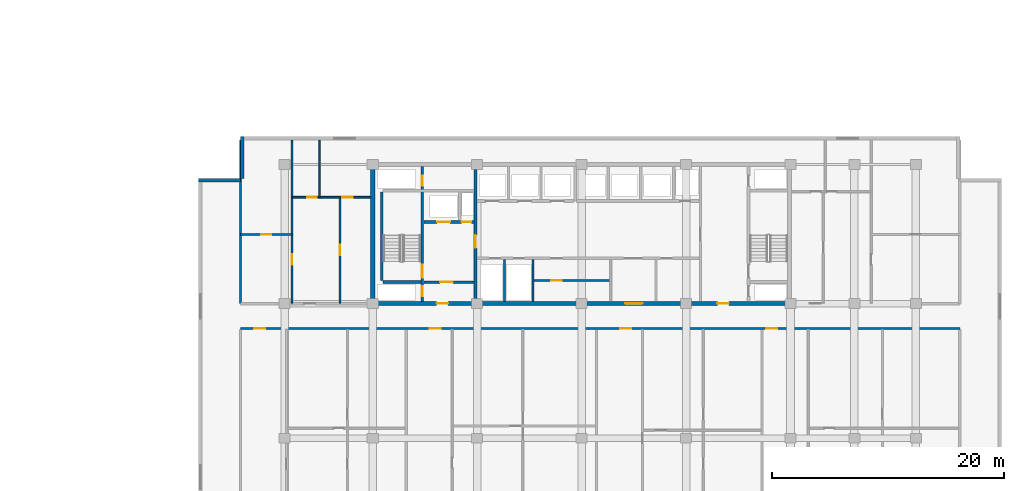
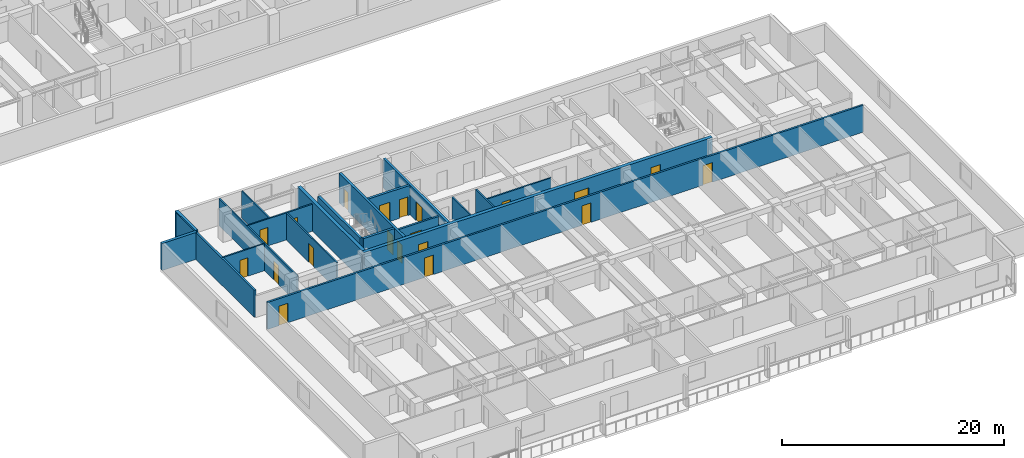
# One storey, part 6 of 23: 20 doors, 20 walls, 20 openings.
"""IFC4 building model written with IfcOpenShell, lengths in metres."""

from ifc_helpers import new_model, si_unit, direction, frame, frame_2d, origin, place, context, subcontext, project, spatial, rectangle, extrude, material, layer, layer_set, type_object, element, fill, save


model = new_model("IFC4")

# Units and contexts
model_context = context("Model", 3, precision=1e-05, world=origin(), true_north=direction((0.0, 1.0)))
body_context = subcontext(model_context, "Body", "Model", "MODEL_VIEW")
ifc_project = project(units=[si_unit("LENGTHUNIT", "METRE"), si_unit("AREAUNIT", "SQUARE_METRE"), si_unit("VOLUMEUNIT", "CUBIC_METRE"), si_unit("PLANEANGLEUNIT", "RADIAN"), si_unit("MASSUNIT", "GRAM", prefix="KILO")], contexts=[model_context])

# Site, building, storey
site_placement = place(None, origin())
site = spatial("IfcSite", under=ifc_project, at=site_placement, CompositionType="ELEMENT")
building_placement = place(site_placement, origin())
building = spatial("IfcBuilding", under=site, at=building_placement, Name="Korimba Cascade Residences", CompositionType="ELEMENT")
storey_placement = place(building_placement, frame((0.0, 0.0, 40.25)))
storey = spatial("IfcBuildingStorey", under=building, at=storey_placement, Name="L10", CompositionType="ELEMENT", Elevation=40.25)

# Walls
ifc_material_1 = material(Name="Precast concrete C40/50", Category="concrete")
ifc_layer_1 = layer(ifc_material_1, 0.300048828125)
ifc_layer_set_1 = layer_set([ifc_layer_1], Name="Precast concrete C40/50")
wall_type_1 = type_object("IfcWallType", Name="EW-STONE-300", PredefinedType="STANDARD", material=ifc_layer_set_1)
wall_1_placement = place(storey_placement, frame((70.85009765625, 32.800048828125, 0.0), z_axis=(0.0, 0.0, 1.0), x_axis=(0.0, -1.0, 0.0)))
element("IfcWall", 1, at=wall_1_placement, inside=storey, type_object=wall_type_1, Name="L10 T2 Perimeter Stone Wall E07", PredefinedType="STANDARD", context=body_context, shape_type="SweptSolid", body=[
    extrude(rectangle(XDim=3.60009765625, YDim=0.300048828125, at=frame_2d((1.800048828125, 0.0))), origin(), (0.0, 0.0, 1.0), 2.969970703125),
])
wall_2_placement = place(storey_placement, frame((70.699951171875, 29.050048828125, 0.0), z_axis=(0.0, 0.0, 1.0), x_axis=(-1.0, 0.0, 0.0)))
element("IfcWall", 2, at=wall_2_placement, inside=storey, type_object=wall_type_1, Name="L10 T2 Perimeter Stone Wall E08", PredefinedType="STANDARD", context=body_context, shape_type="SweptSolid", body=[
    extrude(rectangle(XDim=3.599853515625, YDim=0.300048828125, at=frame_2d((1.7998046875, 0.0))), origin(), (0.0, 0.0, 1.0), 2.969970703125),
])
ifc_material_2 = material(Name="Concrete C65/80", Category="concrete")
ifc_layer_2 = layer(ifc_material_2, 0.35009765625)
ifc_layer_set_2 = layer_set([ifc_layer_2], Name="Concrete C65/80")
wall_type_2 = type_object("IfcWallType", Name="WAL-CORE-350", PredefinedType="SHEAR", material=ifc_layer_set_2)
wall_3_placement = place(storey_placement, frame((82.10009765625, 18.574951171875, 0.0), z_axis=(0.0, 0.0, 1.0), x_axis=(0.0, 1.0, 0.0)))
element("IfcWall", 3, at=wall_3_placement, inside=storey, type_object=wall_type_2, Name="L10 Core Shear Wall CW-L10-T2-W", PredefinedType="SHEAR", context=body_context, shape_type="SweptSolid", body=[
    extrude(rectangle(XDim=11.650146484375, YDim=0.35009765625, at=frame_2d((5.8251953125, 0.0))), origin(), (0.0, 0.0, 1.0), 3.25),
])

# Wall, openings, doors
wall_4_placement = place(storey_placement, frame((81.925048828125, 18.39990234375, 0.0), z_axis=(0.0, 0.0, 1.0), x_axis=(1.0, 0.0, 0.0)))
wall_4 = element("IfcWall", 4, at=wall_4_placement, inside=storey, type_object=wall_type_2, Name="L10 Core Shear Wall CW-L10-T2-S", PredefinedType="SHEAR", context=body_context, shape_type="SweptSolid", body=[
    extrude(rectangle(XDim=36.264892578125, YDim=0.35009765625, at=frame_2d((18.13232421875, 0.0))), origin(), (0.0, 0.0, 1.0), 3.25),
])
opening_1_placement = place(wall_4_placement, frame((5.675048828125, 0.0, 0.0)))
opening_1 = element("IfcOpeningElement", 5, at=opening_1_placement, cuts=wall_4, Name="Opening D-FD5", PredefinedType="OPENING", context=body_context, shape_type="SweptSolid", body=[
    extrude(rectangle(XDim=1.0, YDim=2.14990234375, at=frame_2d((0.5, 1.074951171875))), frame((0.0, 0.18505859375, 0.0), z_axis=(0.0, -1.0, 0.0), x_axis=(1.0, 0.0, 0.0)), (0.0, 0.0, 1.0), 0.3701171875),
])
opening_2_placement = place(wall_4_placement, frame((21.925048828125, 0.0, 0.0)))
opening_2 = element("IfcOpeningElement", 6, at=opening_2_placement, cuts=wall_4, Name="Opening D-FD8", PredefinedType="OPENING", context=body_context, shape_type="SweptSolid", body=[
    extrude(rectangle(XDim=1.5, YDim=2.199951171875, at=frame_2d((0.75, 1.10009765625))), frame((0.0, 0.18505859375, 0.0), z_axis=(0.0, -1.0, 0.0), x_axis=(1.0, 0.0, 0.0)), (0.0, 0.0, 1.0), 0.3701171875),
])
opening_3_placement = place(wall_4_placement, frame((29.875, 0.0, 0.0)))
opening_3 = element("IfcOpeningElement", 7, at=opening_3_placement, cuts=wall_4, Name="Opening D-FD5", PredefinedType="OPENING", context=body_context, shape_type="SweptSolid", body=[
    extrude(rectangle(XDim=1.0, YDim=2.14990234375, at=frame_2d((0.5, 1.074951171875))), frame((0.0, 0.18505859375, 0.0), z_axis=(0.0, -1.0, 0.0), x_axis=(1.0, 0.0, 0.0)), (0.0, 0.0, 1.0), 0.3701171875),
])
ifc_material_3 = material(Name="Fire-Rated Acoustic Timber Vestibule Door", Category="wood")
door_type_1 = type_object("IfcDoorType", Name="DR-FD90-1000", OperationType="NOTDEFINED", PredefinedType="DOOR", material=ifc_material_3)
door_1_placement = place(opening_1_placement, origin())
door_1 = element("IfcDoor", 8, at=door_1_placement, inside=storey, type_object=door_type_1, Name="L10 T2 West Core Vestibule Fire Door", OperationType="SINGLE_SWING_RIGHT", OverallHeight=2.14990234375, OverallWidth=1.0, PredefinedType="DOOR", context=body_context, shape_type="SweptSolid", body=[
    extrude(rectangle(XDim=1.0, YDim=2.14990234375, at=frame_2d((0.5, 1.074951171875))), frame((0.0, 0.02490234375, 0.0), z_axis=(0.0, -1.0, 0.0), x_axis=(1.0, 0.0, 0.0)), (0.0, 0.0, 1.0), 0.050048828125),
])
fill(opening_1, door_1)
door_2_placement = place(opening_3_placement, origin())
door_2 = element("IfcDoor", 9, at=door_2_placement, inside=storey, type_object=door_type_1, Name="L10 T2 East Stair Vestibule Fire Door", OperationType="SINGLE_SWING_LEFT", OverallHeight=2.14990234375, OverallWidth=1.0, PredefinedType="DOOR", context=body_context, shape_type="SweptSolid", body=[
    extrude(rectangle(XDim=1.0, YDim=2.14990234375, at=frame_2d((0.5, 1.074951171875))), frame((0.0, 0.02490234375, 0.0), z_axis=(0.0, -1.0, 0.0), x_axis=(1.0, 0.0, 0.0)), (0.0, 0.0, 1.0), 0.050048828125),
])
fill(opening_3, door_2)
ifc_material_4 = material(Name="Fire-Rated Glazed Lift Lobby Double Door", Category="glass")
door_type_2 = type_object("IfcDoorType", Name="DR-FD90-1500", OperationType="NOTDEFINED", PredefinedType="DOOR", material=ifc_material_4)
door_3_placement = place(opening_2_placement, origin())
door_3 = element("IfcDoor", 10, at=door_3_placement, inside=storey, type_object=door_type_2, Name="L10 T2 Lift Lobby Fire Door", OperationType="DOUBLE_DOOR_SINGLE_SWING", OverallHeight=2.199951171875, OverallWidth=1.5, PredefinedType="DOOR", context=body_context, shape_type="SweptSolid", body=[
    extrude(rectangle(XDim=1.5, YDim=2.199951171875, at=frame_2d((0.75, 1.10009765625))), frame((0.0, 0.02490234375, 0.0), z_axis=(0.0, -1.0, 0.0), x_axis=(1.0, 0.0, 0.0)), (0.0, 0.0, 1.0), 0.050048828125),
])
fill(opening_2, door_3)

# Wall
ifc_layer_3 = layer(ifc_material_1, 0.199951171875)
ifc_layer_set_3 = layer_set([ifc_layer_3], Name="Precast concrete C40/50")
wall_type_3 = type_object("IfcWallType", Name="WAL-IT-200", PredefinedType="PARTITIONING", material=ifc_layer_set_3)
wall_5_placement = place(storey_placement, frame((70.699951171875, 18.39990234375, 0.0), z_axis=(0.0, 0.0, 1.0), x_axis=(0.0, 1.0, 0.0)))
element("IfcWall", 11, at=wall_5_placement, inside=storey, type_object=wall_type_3, Name="L10 Partition Wall WAL-L10-T2-FW-WL", PredefinedType="PARTITIONING", context=body_context, shape_type="SweptSolid", body=[
    extrude(rectangle(XDim=14.10009765625, YDim=0.199951171875, at=frame_2d((7.050048828125, 0.0))), origin(), (0.0, 0.0, 1.0), 2.969970703125),
])

# Wall, openings, doors
wall_6_placement = place(storey_placement, frame((70.699951171875, 16.25, 0.0), z_axis=(0.0, 0.0, 1.0), x_axis=(1.0, 0.0, 0.0)))
wall_6 = element("IfcWall", 12, at=wall_6_placement, inside=storey, type_object=wall_type_3, Name="L10 Partition Wall WAL-L10-T2-CORS", PredefinedType="PARTITIONING", context=body_context, shape_type="SweptSolid", body=[
    extrude(rectangle(XDim=62.0, YDim=0.199951171875, at=frame_2d((31.0, 0.0))), origin(), (0.0, 0.0, 1.0), 2.969970703125),
])
opening_4_placement = place(wall_6_placement, frame((1.18603515625, 0.0, 0.0)))
opening_4 = element("IfcOpeningElement", 13, at=opening_4_placement, cuts=wall_6, Name="Opening D-UN1", PredefinedType="OPENING", context=body_context, shape_type="SweptSolid", body=[
    extrude(rectangle(XDim=0.949951171875, YDim=2.14990234375, at=frame_2d((0.47509765625, 1.074951171875))), frame((0.0, 0.10986328125, 0.0), z_axis=(0.0, -1.0, 0.0), x_axis=(1.0, 0.0, 0.0)), (0.0, 0.0, 1.0), 0.219970703125),
])
opening_5_placement = place(wall_6_placement, frame((16.32080078125, 0.0, 0.0)))
opening_5 = element("IfcOpeningElement", 14, at=opening_5_placement, cuts=wall_6, Name="Opening D-UN1", PredefinedType="OPENING", context=body_context, shape_type="SweptSolid", body=[
    extrude(rectangle(XDim=0.949951171875, YDim=2.14990234375, at=frame_2d((0.47509765625, 1.074951171875))), frame((0.0, 0.10986328125, 0.0), z_axis=(0.0, -1.0, 0.0), x_axis=(1.0, 0.0, 0.0)), (0.0, 0.0, 1.0), 0.219970703125),
])
opening_6_placement = place(wall_6_placement, frame((32.719970703125, 0.0, 0.0)))
opening_6 = element("IfcOpeningElement", 15, at=opening_6_placement, cuts=wall_6, Name="Opening D-UN1", PredefinedType="OPENING", context=body_context, shape_type="SweptSolid", body=[
    extrude(rectangle(XDim=0.949951171875, YDim=2.14990234375, at=frame_2d((0.47509765625, 1.074951171875))), frame((0.0, 0.10986328125, 0.0), z_axis=(0.0, -1.0, 0.0), x_axis=(1.0, 0.0, 0.0)), (0.0, 0.0, 1.0), 0.219970703125),
])
opening_7_placement = place(wall_6_placement, frame((45.32080078125, 0.0, 0.0)))
opening_7 = element("IfcOpeningElement", 16, at=opening_7_placement, cuts=wall_6, Name="Opening D-UN1", PredefinedType="OPENING", context=body_context, shape_type="SweptSolid", body=[
    extrude(rectangle(XDim=0.949951171875, YDim=2.14990234375, at=frame_2d((0.47509765625, 1.074951171875))), frame((0.0, 0.10986328125, 0.0), z_axis=(0.0, -1.0, 0.0), x_axis=(1.0, 0.0, 0.0)), (0.0, 0.0, 1.0), 0.219970703125),
])
ifc_material_5 = material(Name="Fire-Rated Hardwood Apartment Entrance Door", Category="wood")
door_type_3 = type_object("IfcDoorType", Name="DR-FD60-950", OperationType="NOTDEFINED", PredefinedType="DOOR", material=ifc_material_5)
door_4_placement = place(opening_4_placement, origin())
door_4 = element("IfcDoor", 17, at=door_4_placement, inside=storey, type_object=door_type_3, Name="Unit L10-T2-U01 Entrance Door", OperationType="SINGLE_SWING_RIGHT", OverallHeight=2.14990234375, OverallWidth=0.949951171875, PredefinedType="DOOR", context=body_context, shape_type="SweptSolid", body=[
    extrude(rectangle(XDim=0.949951171875, YDim=2.14990234375, at=frame_2d((0.47509765625, 1.074951171875))), frame((0.0, 0.02490234375, 0.0), z_axis=(0.0, -1.0, 0.0), x_axis=(1.0, 0.0, 0.0)), (0.0, 0.0, 1.0), 0.050048828125),
])
fill(opening_4, door_4)
door_5_placement = place(opening_5_placement, origin())
door_5 = element("IfcDoor", 18, at=door_5_placement, inside=storey, type_object=door_type_3, Name="Unit L10-T2-U02 Entrance Door", OperationType="SINGLE_SWING_LEFT", OverallHeight=2.14990234375, OverallWidth=0.949951171875, PredefinedType="DOOR", context=body_context, shape_type="SweptSolid", body=[
    extrude(rectangle(XDim=0.949951171875, YDim=2.14990234375, at=frame_2d((0.47509765625, 1.074951171875))), frame((0.0, 0.02490234375, 0.0), z_axis=(0.0, -1.0, 0.0), x_axis=(1.0, 0.0, 0.0)), (0.0, 0.0, 1.0), 0.050048828125),
])
fill(opening_5, door_5)
door_6_placement = place(opening_6_placement, origin())
door_6 = element("IfcDoor", 19, at=door_6_placement, inside=storey, type_object=door_type_3, Name="Unit L10-T2-U03 Entrance Door", OperationType="SINGLE_SWING_RIGHT", OverallHeight=2.14990234375, OverallWidth=0.949951171875, PredefinedType="DOOR", context=body_context, shape_type="SweptSolid", body=[
    extrude(rectangle(XDim=0.949951171875, YDim=2.14990234375, at=frame_2d((0.47509765625, 1.074951171875))), frame((0.0, 0.02490234375, 0.0), z_axis=(0.0, -1.0, 0.0), x_axis=(1.0, 0.0, 0.0)), (0.0, 0.0, 1.0), 0.050048828125),
])
fill(opening_6, door_6)
door_7_placement = place(opening_7_placement, origin())
door_7 = element("IfcDoor", 20, at=door_7_placement, inside=storey, type_object=door_type_3, Name="Unit L10-T2-U04 Entrance Door", OperationType="SINGLE_SWING_LEFT", OverallHeight=2.14990234375, OverallWidth=0.949951171875, PredefinedType="DOOR", context=body_context, shape_type="SweptSolid", body=[
    extrude(rectangle(XDim=0.949951171875, YDim=2.14990234375, at=frame_2d((0.47509765625, 1.074951171875))), frame((0.0, 0.02490234375, 0.0), z_axis=(0.0, -1.0, 0.0), x_axis=(1.0, 0.0, 0.0)), (0.0, 0.0, 1.0), 0.050048828125),
])
fill(opening_7, door_7)

# Walls
ifc_material_6 = material(Name="Insulated Acoustic Stud Partition", Category="gypsum")
ifc_layer_4 = layer(ifc_material_6, 0.14990234375)
ifc_layer_set_4 = layer_set([ifc_layer_4], Name="Insulated Acoustic Stud Partition")
wall_type_4 = type_object("IfcWallType", Name="WAL-PART-150", PredefinedType="PARTITIONING", material=ifc_layer_set_4)
for number, where, z_axis, x_axis, name in (
    (21, (93.449951171875, 18.60009765625, 0.0), (0.0, 0.0, 1.0), (0.0, 1.0, 0.0), "L10 Partition Wall CW-L10-T2-ERDIV"),
    (22, (95.89990234375, 18.60009765625, 0.0), (0.0, 0.0, 1.0), (0.0, 1.0, 0.0), "L10 Partition Wall CW-L10-T2-PRDIV"),
):
    element("IfcWall", number, at=place(storey_placement, frame(where, z_axis=z_axis, x_axis=x_axis)), inside=storey, type_object=wall_type_4, Name=name, PredefinedType="PARTITIONING", context=body_context, shape_type="SweptSolid", body=[
        extrude(rectangle(XDim=3.599853515625, YDim=0.14990234375, at=frame_2d((1.7998046875, 0.0))), origin(), (0.0, 0.0, 1.0), 2.969970703125),
    ])

# Wall, opening, door
wall_7_placement = place(storey_placement, frame((95.89990234375, 20.39990234375, 0.0), z_axis=(0.0, 0.0, 1.0), x_axis=(1.0, 0.0, 0.0)))
wall_7 = element("IfcWall", 23, at=wall_7_placement, inside=storey, type_object=wall_type_4, Name="L10 Partition Wall CW-L10-T2-CA2HZ", PredefinedType="PARTITIONING", context=body_context, shape_type="SweptSolid", body=[
    extrude(rectangle(XDim=6.7001953125, YDim=0.14990234375, at=frame_2d((3.35009765625, 0.0))), origin(), (0.0, 0.0, 1.0), 2.969970703125),
])
opening_8_placement = place(wall_7_placement, frame((1.60009765625, 0.0, 0.0)))
opening_8 = element("IfcOpeningElement", 24, at=opening_8_placement, cuts=wall_7, Name="Opening D-IN2", PredefinedType="OPENING", context=body_context, shape_type="SweptSolid", body=[
    extrude(rectangle(XDim=0.8798828125, YDim=2.06005859375, at=frame_2d((0.43994140625, 1.030029296875))), frame((0.0, 0.0849609375, 0.0), z_axis=(0.0, -1.0, 0.0), x_axis=(1.0, 0.0, 0.0)), (0.0, 0.0, 1.0), 0.169921875),
])
ifc_material_7 = material(Name="Acoustic Timber Bedroom Door", Category="wood")
door_type_4 = type_object("IfcDoorType", Name="DR-INT-880", OperationType="NOTDEFINED", PredefinedType="DOOR", material=ifc_material_7)
door_8_placement = place(opening_8_placement, origin())
door_8 = element("IfcDoor", 25, at=door_8_placement, inside=storey, type_object=door_type_4, Name="L10 T2 Pram Store Door", OperationType="SINGLE_SWING_LEFT", OverallHeight=2.06005859375, OverallWidth=0.8798828125, PredefinedType="DOOR", context=body_context, shape_type="SweptSolid", body=[
    extrude(rectangle(XDim=0.8798828125, YDim=2.06005859375, at=frame_2d((0.43994140625, 1.030029296875))), frame((0.0, 0.02490234375, 0.0), z_axis=(0.0, -1.0, 0.0), x_axis=(1.0, 0.0, 0.0)), (0.0, 0.0, 1.0), 0.050048828125),
])
fill(opening_8, door_8)

wall_8_placement = place(storey_placement, frame((70.699951171875, 24.35009765625, 0.0), z_axis=(0.0, 0.0, 1.0), x_axis=(1.0, 0.0, 0.0)))
wall_8 = element("IfcWall", 26, at=wall_8_placement, inside=storey, type_object=wall_type_4, Name="L10 Partition Wall WAL-L10-T2-FW-STH", PredefinedType="PARTITIONING", context=body_context, shape_type="SweptSolid", body=[
    extrude(rectangle(XDim=4.449951171875, YDim=0.14990234375, at=frame_2d((2.22509765625, 0.0))), origin(), (0.0, 0.0, 1.0), 2.969970703125),
])
opening_9_placement = place(wall_8_placement, frame((1.804931640625, 0.0, 0.0)))
opening_9 = element("IfcOpeningElement", 27, at=opening_9_placement, cuts=wall_8, Name="Opening D-BT1", PredefinedType="OPENING", context=body_context, shape_type="SweptSolid", body=[
    extrude(rectangle(XDim=0.840087890625, YDim=2.0400390625, at=frame_2d((0.419921875, 1.02001953125))), frame((0.0, 0.0849609375, 0.0), z_axis=(0.0, -1.0, 0.0), x_axis=(1.0, 0.0, 0.0)), (0.0, 0.0, 1.0), 0.169921875),
])
ifc_material_8 = material(Name="Moisture-Resistant Bathroom Timber Door", Category="wood")
door_type_5 = type_object("IfcDoorType", Name="DR-INT-850", OperationType="NOTDEFINED", PredefinedType="DOOR", material=ifc_material_8)
door_9_placement = place(opening_9_placement, origin())
door_9 = element("IfcDoor", 28, at=door_9_placement, inside=storey, type_object=door_type_5, Name="L10-T2-FW Dressing Store Door", OperationType="SINGLE_SWING_RIGHT", OverallHeight=2.0400390625, OverallWidth=0.840087890625, PredefinedType="DOOR", context=body_context, shape_type="SweptSolid", body=[
    extrude(rectangle(XDim=0.840087890625, YDim=2.0400390625, at=frame_2d((0.419921875, 1.02001953125))), frame((0.0, 0.02490234375, 0.0), z_axis=(0.0, -1.0, 0.0), x_axis=(1.0, 0.0, 0.0)), (0.0, 0.0, 1.0), 0.050048828125),
])
fill(opening_9, door_9)

wall_9_placement = place(storey_placement, frame((75.14990234375, 18.449951171875, 0.0), z_axis=(0.0, 0.0, 1.0), x_axis=(0.0, 1.0, 0.0)))
wall_9 = element("IfcWall", 29, at=wall_9_placement, inside=storey, type_object=wall_type_4, Name="L10 Partition Wall WAL-L10-T2-FW-STV", PredefinedType="PARTITIONING", context=body_context, shape_type="SweptSolid", body=[
    extrude(rectangle(XDim=14.050048828125, YDim=0.14990234375, at=frame_2d((7.02490234375, 0.0))), origin(), (0.0, 0.0, 1.0), 2.969970703125),
])
opening_10_placement = place(wall_9_placement, frame((3.320068359375, 0.0, 0.0)))
opening_10 = element("IfcOpeningElement", 30, at=opening_10_placement, cuts=wall_9, Name="Opening D-IN2", PredefinedType="OPENING", context=body_context, shape_type="SweptSolid", body=[
    extrude(rectangle(XDim=0.8798828125, YDim=2.06005859375, at=frame_2d((0.43994140625, 1.030029296875))), frame((0.0, 0.0849609375, 0.0), z_axis=(0.0, -1.0, 0.0), x_axis=(1.0, 0.0, 0.0)), (0.0, 0.0, 1.0), 0.169921875),
])
door_10_placement = place(opening_10_placement, origin())
door_10 = element("IfcDoor", 31, at=door_10_placement, inside=storey, type_object=door_type_4, Name="L10-T2-FW Study Door", OperationType="SINGLE_SWING_LEFT", OverallHeight=2.06005859375, OverallWidth=0.8798828125, PredefinedType="DOOR", context=body_context, shape_type="SweptSolid", body=[
    extrude(rectangle(XDim=0.8798828125, YDim=2.06005859375, at=frame_2d((0.43994140625, 1.030029296875))), frame((0.0, 0.02490234375, 0.0), z_axis=(0.0, -1.0, 0.0), x_axis=(1.0, 0.0, 0.0)), (0.0, 0.0, 1.0), 0.050048828125),
])
fill(opening_10, door_10)

wall_10_placement = place(storey_placement, frame((79.27001953125, 18.449951171875, 0.0), z_axis=(0.0, 0.0, 1.0), x_axis=(0.0, 1.0, 0.0)))
wall_10 = element("IfcWall", 32, at=wall_10_placement, inside=storey, type_object=wall_type_4, Name="L10 Partition Wall WAL-L10-T2-FW-VS", PredefinedType="PARTITIONING", context=body_context, shape_type="SweptSolid", body=[
    extrude(rectangle(XDim=9.1201171875, YDim=0.14990234375, at=frame_2d((4.56005859375, 0.0))), origin(), (0.0, 0.0, 1.0), 2.969970703125),
])
opening_11_placement = place(wall_10_placement, frame((4.10009765625, 0.0, 0.0)))
opening_11 = element("IfcOpeningElement", 33, at=opening_11_placement, cuts=wall_10, Name="Opening D-IN1", PredefinedType="OPENING", context=body_context, shape_type="SweptSolid", body=[
    extrude(rectangle(XDim=0.919921875, YDim=2.080078125, at=frame_2d((0.4599609375, 1.0400390625))), frame((0.0, 0.0849609375, 0.0), z_axis=(0.0, -1.0, 0.0), x_axis=(1.0, 0.0, 0.0)), (0.0, 0.0, 1.0), 0.169921875),
])
ifc_material_9 = material(Name="Acoustic Timber Living Door", Category="wood")
door_type_6 = type_object("IfcDoorType", Name="DR-INT-920", OperationType="NOTDEFINED", PredefinedType="DOOR", material=ifc_material_9)
door_11_placement = place(opening_11_placement, origin())
door_11 = element("IfcDoor", 34, at=door_11_placement, inside=storey, type_object=door_type_6, Name="L10-T2-FW Living Door", OperationType="SINGLE_SWING_RIGHT", OverallHeight=2.080078125, OverallWidth=0.919921875, PredefinedType="DOOR", context=body_context, shape_type="SweptSolid", body=[
    extrude(rectangle(XDim=0.919921875, YDim=2.080078125, at=frame_2d((0.4599609375, 1.0400390625))), frame((0.0, 0.02490234375, 0.0), z_axis=(0.0, -1.0, 0.0), x_axis=(1.0, 0.0, 0.0)), (0.0, 0.0, 1.0), 0.050048828125),
])
fill(opening_11, door_11)

# Wall
wall_11_placement = place(storey_placement, frame((77.5, 27.570068359375, 0.0), z_axis=(0.0, 0.0, 1.0), x_axis=(0.0, 1.0, 0.0)))
element("IfcWall", 35, at=wall_11_placement, inside=storey, type_object=wall_type_4, Name="L10 Partition Wall WAL-L10-T2-FW-VN", PredefinedType="PARTITIONING", context=body_context, shape_type="SweptSolid", body=[
    extrude(rectangle(XDim=4.929931640625, YDim=0.14990234375, at=frame_2d((2.46484375, 0.0))), origin(), (0.0, 0.0, 1.0), 2.969970703125),
])

# Wall, openings, doors
wall_12_placement = place(storey_placement, frame((75.169921875, 27.570068359375, 0.0), z_axis=(0.0, 0.0, 1.0), x_axis=(1.0, 0.0, 0.0)))
wall_12 = element("IfcWall", 36, at=wall_12_placement, inside=storey, type_object=wall_type_4, Name="L10 Partition Wall WAL-L10-T2-FW-H", PredefinedType="PARTITIONING", context=body_context, shape_type="SweptSolid", body=[
    extrude(rectangle(XDim=6.760009765625, YDim=0.14990234375, at=frame_2d((3.3798828125, 0.0))), origin(), (0.0, 0.0, 1.0), 2.969970703125),
])
opening_12_placement = place(wall_12_placement, frame((1.266357421875, 0.0, 0.0)))
opening_12 = element("IfcOpeningElement", 37, at=opening_12_placement, cuts=wall_12, Name="Opening D-BT1", PredefinedType="OPENING", context=body_context, shape_type="SweptSolid", body=[
    extrude(rectangle(XDim=0.840087890625, YDim=2.0400390625, at=frame_2d((0.419921875, 1.02001953125))), frame((0.0, 0.0849609375, 0.0), z_axis=(0.0, -1.0, 0.0), x_axis=(1.0, 0.0, 0.0)), (0.0, 0.0, 1.0), 0.169921875),
])
opening_13_placement = place(wall_12_placement, frame((4.320068359375, 0.0, 0.0)))
opening_13 = element("IfcOpeningElement", 38, at=opening_13_placement, cuts=wall_12, Name="Opening D-IN2", PredefinedType="OPENING", context=body_context, shape_type="SweptSolid", body=[
    extrude(rectangle(XDim=0.8798828125, YDim=2.06005859375, at=frame_2d((0.43994140625, 1.030029296875))), frame((0.0, 0.0849609375, 0.0), z_axis=(0.0, -1.0, 0.0), x_axis=(1.0, 0.0, 0.0)), (0.0, 0.0, 1.0), 0.169921875),
])
door_12_placement = place(opening_12_placement, origin())
door_12 = element("IfcDoor", 39, at=door_12_placement, inside=storey, type_object=door_type_5, Name="L10-T2-FW Bathroom Door", OperationType="SINGLE_SWING_LEFT", OverallHeight=2.0400390625, OverallWidth=0.840087890625, PredefinedType="DOOR", context=body_context, shape_type="SweptSolid", body=[
    extrude(rectangle(XDim=0.840087890625, YDim=2.0400390625, at=frame_2d((0.419921875, 1.02001953125))), frame((0.0, 0.02490234375, 0.0), z_axis=(0.0, -1.0, 0.0), x_axis=(1.0, 0.0, 0.0)), (0.0, 0.0, 1.0), 0.050048828125),
])
fill(opening_12, door_12)
door_13_placement = place(opening_13_placement, origin())
door_13 = element("IfcDoor", 40, at=door_13_placement, inside=storey, type_object=door_type_4, Name="L10-T2-FW Bedroom Door", OperationType="SINGLE_SWING_RIGHT", OverallHeight=2.06005859375, OverallWidth=0.8798828125, PredefinedType="DOOR", context=body_context, shape_type="SweptSolid", body=[
    extrude(rectangle(XDim=0.8798828125, YDim=2.06005859375, at=frame_2d((0.43994140625, 1.030029296875))), frame((0.0, 0.02490234375, 0.0), z_axis=(0.0, -1.0, 0.0), x_axis=(1.0, 0.0, 0.0)), (0.0, 0.0, 1.0), 0.050048828125),
])
fill(opening_13, door_13)

# Wall, opening, door
ifc_material_10 = material(Name="Concrete C40/50", Category="concrete")
ifc_layer_5 = layer(ifc_material_10, 0.199951171875)
ifc_layer_set_5 = layer_set([ifc_layer_5], Name="Concrete C40/50")
wall_type_5 = type_object("IfcWallType", Name="WAL-PART-200", PredefinedType="PARTITIONING", material=ifc_layer_set_5)
wall_13_placement = place(storey_placement, frame((86.5, 20.25, 0.0), z_axis=(0.0, 0.0, 1.0), x_axis=(1.0, 0.0, 0.0)))
wall_13 = element("IfcWall", 41, at=wall_13_placement, inside=storey, type_object=wall_type_5, Name="L10 Partition Wall CW-L10-T2-FFLS", PredefinedType="PARTITIONING", context=body_context, shape_type="SweptSolid", body=[
    extrude(rectangle(XDim=4.320068359375, YDim=0.199951171875, at=frame_2d((2.16015625, 0.0))), origin(), (0.0, 0.0, 1.0), 2.969970703125),
])
opening_14_placement = place(wall_13_placement, frame((1.39990234375, 0.0, 0.0)))
opening_14 = element("IfcOpeningElement", 42, at=opening_14_placement, cuts=wall_13, Name="Opening D-FD1", PredefinedType="OPENING", context=body_context, shape_type="SweptSolid", body=[
    extrude(rectangle(XDim=1.10009765625, YDim=2.10009765625, at=frame_2d((0.550048828125, 1.050048828125))), frame((0.0, 0.10986328125, 0.0), z_axis=(0.0, -1.0, 0.0), x_axis=(1.0, 0.0, 0.0)), (0.0, 0.0, 1.0), 0.219970703125),
])
ifc_material_11 = material(Name="Fire-Rated Steel Core Door", Category="steel")
door_type_7 = type_object("IfcDoorType", Name="DR-FD120-1100", OperationType="NOTDEFINED", PredefinedType="DOOR", material=ifc_material_11)
door_14_placement = place(opening_14_placement, origin())
door_14 = element("IfcDoor", 43, at=door_14_placement, inside=storey, type_object=door_type_7, Name="L10 T2 Firefighting Lobby Door", OperationType="SINGLE_SWING_RIGHT", OverallHeight=2.10009765625, OverallWidth=1.10009765625, PredefinedType="DOOR", context=body_context, shape_type="SweptSolid", body=[
    extrude(rectangle(XDim=1.10009765625, YDim=2.10009765625, at=frame_2d((0.550048828125, 1.050048828125))), frame((0.0, 0.02490234375, 0.0), z_axis=(0.0, -1.0, 0.0), x_axis=(1.0, 0.0, 0.0)), (0.0, 0.0, 1.0), 0.050048828125),
])
fill(opening_14, door_14)

# Wall
ifc_material_12 = material(Name="Concrete C50/60", Category="concrete")
ifc_layer_6 = layer(ifc_material_12, 0.25)
ifc_layer_set_6 = layer_set([ifc_layer_6], Name="Concrete C50/60")
wall_type_6 = type_object("IfcWallType", Name="WAL-SHAFT-250", PredefinedType="SHEAR", material=ifc_layer_set_6)
wall_14_placement = place(storey_placement, frame((82.875, 20.39990234375, 0.0), z_axis=(0.0, 0.0, 1.0), x_axis=(0.0, 1.0, 0.0)))
element("IfcWall", 44, at=wall_14_placement, inside=storey, type_object=wall_type_6, Name="L10 Core Shear Wall CW-L10-T2-STE1W", PredefinedType="SHEAR", context=body_context, shape_type="SweptSolid", body=[
    extrude(rectangle(XDim=7.60009765625, YDim=0.25, at=frame_2d((3.800048828125, 0.0))), origin(), (0.0, 0.0, 1.0), 3.25),
])

# Wall, openings, doors
wall_15_placement = place(storey_placement, frame((86.364990234375, 18.60009765625, 0.0), z_axis=(0.0, 0.0, 1.0), x_axis=(0.0, 1.0, 0.0)))
wall_15 = element("IfcWall", 45, at=wall_15_placement, inside=storey, type_object=wall_type_6, Name="L10 Core Shear Wall CW-L10-T2-STE1E", PredefinedType="SHEAR", context=body_context, shape_type="SweptSolid", body=[
    extrude(rectangle(XDim=11.599853515625, YDim=0.25, at=frame_2d((5.7998046875, 0.0))), origin(), (0.0, 0.0, 1.0), 3.25),
])
opening_15_placement = place(wall_15_placement, frame((0.449951171875, 0.0, 0.0)))
opening_15 = element("IfcOpeningElement", 46, at=opening_15_placement, cuts=wall_15, Name="Opening D-RS1", PredefinedType="OPENING", context=body_context, shape_type="SweptSolid", body=[
    extrude(rectangle(XDim=0.85009765625, YDim=2.050048828125, at=frame_2d((0.425048828125, 1.02490234375))), frame((0.0, 0.135009765625, 0.0), z_axis=(0.0, -1.0, 0.0), x_axis=(1.0, 0.0, 0.0)), (0.0, 0.0, 1.0), 0.27001953125),
])
opening_16_placement = place(wall_15_placement, frame((2.050048828125, 0.0, 0.0)))
opening_16 = element("IfcOpeningElement", 47, at=opening_16_placement, cuts=wall_15, Name="Opening D-FD1", PredefinedType="OPENING", context=body_context, shape_type="SweptSolid", body=[
    extrude(rectangle(XDim=1.10009765625, YDim=2.10009765625, at=frame_2d((0.550048828125, 1.050048828125))), frame((0.0, 0.135009765625, 0.0), z_axis=(0.0, -1.0, 0.0), x_axis=(1.0, 0.0, 0.0)), (0.0, 0.0, 1.0), 0.27001953125),
])
opening_17_placement = place(wall_15_placement, frame((9.949951171875, 0.0, 0.0)))
opening_17 = element("IfcOpeningElement", 48, at=opening_17_placement, cuts=wall_15, Name="Opening D-RS1", PredefinedType="OPENING", context=body_context, shape_type="SweptSolid", body=[
    extrude(rectangle(XDim=0.85009765625, YDim=2.050048828125, at=frame_2d((0.425048828125, 1.02490234375))), frame((0.0, 0.135009765625, 0.0), z_axis=(0.0, -1.0, 0.0), x_axis=(1.0, 0.0, 0.0)), (0.0, 0.0, 1.0), 0.27001953125),
])
door_15_placement = place(opening_16_placement, origin())
door_15 = element("IfcDoor", 49, at=door_15_placement, inside=storey, type_object=door_type_7, Name="L10 Fire Stair ST-E1 Door", OperationType="SINGLE_SWING_LEFT", OverallHeight=2.10009765625, OverallWidth=1.10009765625, PredefinedType="DOOR", context=body_context, shape_type="SweptSolid", body=[
    extrude(rectangle(XDim=1.10009765625, YDim=2.10009765625, at=frame_2d((0.550048828125, 1.050048828125))), frame((0.0, 0.02490234375, 0.0), z_axis=(0.0, -1.0, 0.0), x_axis=(1.0, 0.0, 0.0)), (0.0, 0.0, 1.0), 0.050048828125),
])
fill(opening_16, door_15)
ifc_material_13 = material(Name="Fire-Rated Steel Riser Access Door", Category="steel")
door_type_8 = type_object("IfcDoorType", Name="DR-FD60-850", OperationType="NOTDEFINED", PredefinedType="DOOR", material=ifc_material_13)
door_16_placement = place(opening_15_placement, origin())
door_16 = element("IfcDoor", 50, at=door_16_placement, inside=storey, type_object=door_type_8, Name="L10 T2 Hydrant Riser Door", OperationType="SINGLE_SWING_RIGHT", OverallHeight=2.050048828125, OverallWidth=0.85009765625, PredefinedType="DOOR", context=body_context, shape_type="SweptSolid", body=[
    extrude(rectangle(XDim=0.85009765625, YDim=2.050048828125, at=frame_2d((0.425048828125, 1.02490234375))), frame((0.0, 0.02490234375, 0.0), z_axis=(0.0, -1.0, 0.0), x_axis=(1.0, 0.0, 0.0)), (0.0, 0.0, 1.0), 0.050048828125),
])
fill(opening_15, door_16)
door_17_placement = place(opening_17_placement, origin())
door_17 = element("IfcDoor", 51, at=door_17_placement, inside=storey, type_object=door_type_8, Name="L10 T2 Smoke Shaft Door", OperationType="SINGLE_SWING_RIGHT", OverallHeight=2.050048828125, OverallWidth=0.85009765625, PredefinedType="DOOR", context=body_context, shape_type="SweptSolid", body=[
    extrude(rectangle(XDim=0.85009765625, YDim=2.050048828125, at=frame_2d((0.425048828125, 1.02490234375))), frame((0.0, 0.02490234375, 0.0), z_axis=(0.0, -1.0, 0.0), x_axis=(1.0, 0.0, 0.0)), (0.0, 0.0, 1.0), 0.050048828125),
])
fill(opening_17, door_17)

# Wall
wall_16_placement = place(storey_placement, frame((83.0, 20.27490234375, 0.0), z_axis=(0.0, 0.0, 1.0), x_axis=(1.0, 0.0, 0.0)))
element("IfcWall", 52, at=wall_16_placement, inside=storey, type_object=wall_type_6, Name="L10 Core Shear Wall CW-L10-T2-STE1S", PredefinedType="SHEAR", context=body_context, shape_type="SweptSolid", body=[
    extrude(rectangle(XDim=3.239990234375, YDim=0.25, at=frame_2d((1.6201171875, 0.0))), origin(), (0.0, 0.0, 1.0), 3.25),
])

# Wall, openings, doors
wall_17_placement = place(storey_placement, frame((86.5, 25.449951171875, 0.0), z_axis=(0.0, 0.0, 1.0), x_axis=(1.0, 0.0, 0.0)))
wall_17 = element("IfcWall", 53, at=wall_17_placement, inside=storey, type_object=wall_type_6, Name="L10 Core Shear Wall CW-L10-T2-FFLN", PredefinedType="SHEAR", context=body_context, shape_type="SweptSolid", body=[
    extrude(rectangle(XDim=4.320068359375, YDim=0.25, at=frame_2d((2.16015625, 0.0))), origin(), (0.0, 0.0, 1.0), 3.25),
])
opening_18_placement = place(wall_17_placement, frame((1.139892578125, 0.0, 0.0)))
opening_18 = element("IfcOpeningElement", 54, at=opening_18_placement, cuts=wall_17, Name="Opening LD-01", PredefinedType="OPENING", context=body_context, shape_type="SweptSolid", body=[
    extrude(rectangle(XDim=1.1201171875, YDim=2.1201171875, at=frame_2d((0.56005859375, 1.06005859375))), frame((0.0, 0.135009765625, 0.0), z_axis=(0.0, -1.0, 0.0), x_axis=(1.0, 0.0, 0.0)), (0.0, 0.0, 1.0), 0.27001953125),
])
opening_19_placement = place(wall_17_placement, frame((3.25, 0.0, 0.0)))
opening_19 = element("IfcOpeningElement", 55, at=opening_19_placement, cuts=wall_17, Name="Opening D-RS1", PredefinedType="OPENING", context=body_context, shape_type="SweptSolid", body=[
    extrude(rectangle(XDim=0.85009765625, YDim=2.050048828125, at=frame_2d((0.425048828125, 1.02490234375))), frame((0.0, 0.135009765625, 0.0), z_axis=(0.0, -1.0, 0.0), x_axis=(1.0, 0.0, 0.0)), (0.0, 0.0, 1.0), 0.27001953125),
])
door_18_placement = place(opening_19_placement, origin())
door_18 = element("IfcDoor", 56, at=door_18_placement, inside=storey, type_object=door_type_8, Name="L10 T2 Pressurisation Riser Door", OperationType="SINGLE_SWING_LEFT", OverallHeight=2.050048828125, OverallWidth=0.85009765625, PredefinedType="DOOR", context=body_context, shape_type="SweptSolid", body=[
    extrude(rectangle(XDim=0.85009765625, YDim=2.050048828125, at=frame_2d((0.425048828125, 1.02490234375))), frame((0.0, 0.02490234375, 0.0), z_axis=(0.0, -1.0, 0.0), x_axis=(1.0, 0.0, 0.0)), (0.0, 0.0, 1.0), 0.050048828125),
])
fill(opening_19, door_18)
ifc_material_14 = material(Name="Stainless Steel Lift Landing Sliding Door", Category="steel")
door_type_9 = type_object("IfcDoorType", Name="DR-LIFT-1100", OperationType="NOTDEFINED", PredefinedType="DOOR", material=ifc_material_14)
door_19_placement = place(opening_18_placement, origin())
door_19 = element("IfcDoor", 57, at=door_19_placement, inside=storey, type_object=door_type_9, Name="L10 Firefighting Lift Landing Door FFL-E1", OperationType="SLIDING_TO_RIGHT", OverallHeight=2.1201171875, OverallWidth=1.1201171875, PredefinedType="DOOR", context=body_context, shape_type="SweptSolid", body=[
    extrude(rectangle(XDim=1.1201171875, YDim=2.1201171875, at=frame_2d((0.56005859375, 1.06005859375))), frame((0.0, 0.02490234375, 0.0), z_axis=(0.0, -1.0, 0.0), x_axis=(1.0, 0.0, 0.0)), (0.0, 0.0, 1.0), 0.050048828125),
])
fill(opening_18, door_19)

# Wall, opening, door
wall_18_placement = place(storey_placement, frame((90.949951171875, 18.60009765625, 0.0), z_axis=(0.0, 0.0, 1.0), x_axis=(0.0, 1.0, 0.0)))
wall_18 = element("IfcWall", 58, at=wall_18_placement, inside=storey, type_object=wall_type_6, Name="L10 Core Shear Wall CW-L10-T2-FFLE", PredefinedType="SHEAR", context=body_context, shape_type="SweptSolid", body=[
    extrude(rectangle(XDim=11.599853515625, YDim=0.25, at=frame_2d((5.7998046875, 0.0))), origin(), (0.0, 0.0, 1.0), 3.25),
])
opening_20_placement = place(wall_18_placement, frame((4.60009765625, 0.0, 0.0)))
opening_20 = element("IfcOpeningElement", 59, at=opening_20_placement, cuts=wall_18, Name="Opening D-FD1", PredefinedType="OPENING", context=body_context, shape_type="SweptSolid", body=[
    extrude(rectangle(XDim=1.10009765625, YDim=2.10009765625, at=frame_2d((0.550048828125, 1.050048828125))), frame((0.0, 0.135009765625, 0.0), z_axis=(0.0, -1.0, 0.0), x_axis=(1.0, 0.0, 0.0)), (0.0, 0.0, 1.0), 0.27001953125),
])
door_20_placement = place(opening_20_placement, origin())
door_20 = element("IfcDoor", 60, at=door_20_placement, inside=storey, type_object=door_type_7, Name="L10 T2 Firefighting Lobby to Lift Lobby Door", OperationType="SINGLE_SWING_LEFT", OverallHeight=2.10009765625, OverallWidth=1.10009765625, PredefinedType="DOOR", context=body_context, shape_type="SweptSolid", body=[
    extrude(rectangle(XDim=1.10009765625, YDim=2.10009765625, at=frame_2d((0.550048828125, 1.050048828125))), frame((0.0, 0.02490234375, 0.0), z_axis=(0.0, -1.0, 0.0), x_axis=(1.0, 0.0, 0.0)), (0.0, 0.0, 1.0), 0.050048828125),
])
fill(opening_20, door_20)

save(model, "model.ifc")
